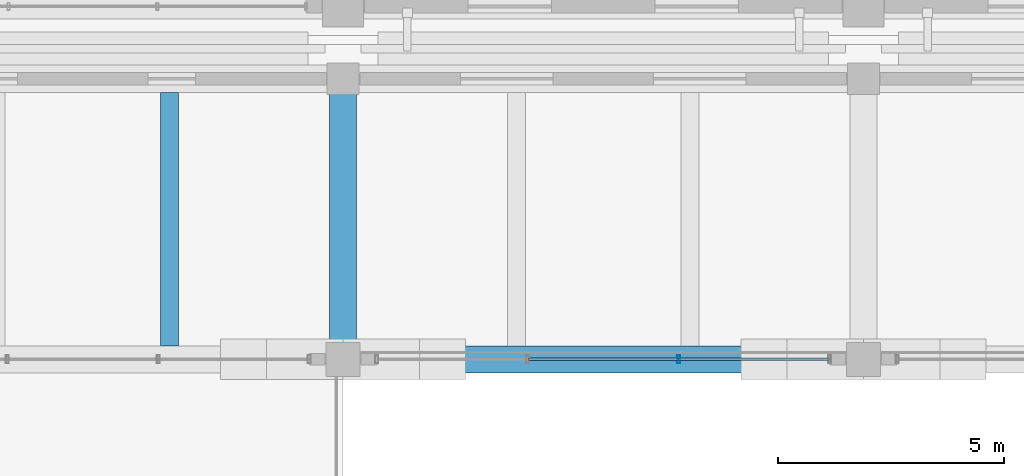
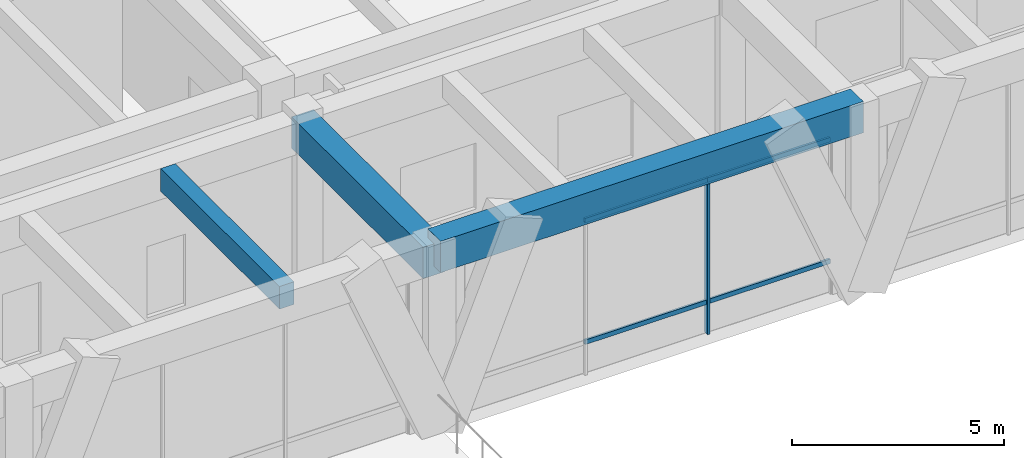
# One storey, part 103 of 148: 5 members, 3 beams, 1 element without a shape of its own.
"""IFC4 building model written with IfcOpenShell, lengths in metres."""

from ifc_helpers import new_model, si_unit, direction, frame, origin, origin_2d, place, context, subcontext, project, spatial, rectangle, hollow_rectangle, extrude, material, material_profile, profile_set, type_object, element, aggregate, save


model = new_model("IFC4")

# Units and contexts
model_context = context("Model", 3, precision=1e-05, world=origin(), true_north=direction((0.0, 1.0)))
body_context = subcontext(model_context, "Body", "Model", "MODEL_VIEW")
ifc_project = project(units=[si_unit("LENGTHUNIT", "METRE"), si_unit("AREAUNIT", "SQUARE_METRE"), si_unit("VOLUMEUNIT", "CUBIC_METRE"), si_unit("PLANEANGLEUNIT", "RADIAN"), si_unit("MASSUNIT", "GRAM", prefix="KILO")], contexts=[model_context])

# Site, building, storey
site_placement = place(None, origin())
site = spatial("IfcSite", under=ifc_project, at=site_placement, CompositionType="ELEMENT")
building_placement = place(site_placement, origin())
building = spatial("IfcBuilding", under=site, at=building_placement, Name="Ologun Quay Terminus", CompositionType="ELEMENT")
storey_placement = place(building_placement, frame((0.0, 0.0, 8.39990234375)))
storey = spatial("IfcBuildingStorey", under=building, at=storey_placement, Name="L02", CompositionType="ELEMENT", Elevation=8.39990234375)

# Curtain wall, members
ifc_material_1 = material(Name="Aluminium 6063-T6", Category="aluminium")
curtain_wall_type = type_object("IfcCurtainWallType", Name="Train Shed North Clerestory Curtain Wall 10700x4850", PredefinedType="USERDEFINED", material=ifc_material_1)
curtain_wall_placement = place(storey_placement, origin())
curtain_wall = element("IfcCurtainWall", 1, at=curtain_wall_placement, inside=storey, type_object=curtain_wall_type, Name="CW-09 Curtain Wall CW-L02-071", ObjectType="UNITISED CURTAIN WALL", PredefinedType="USERDEFINED")
ifc_material_2 = material(Name="Aluminium 6063-T6", Category="aluminium")
ifc_material_profile_1 = material_profile(ifc_material_2, hollow_rectangle(XDim=0.070068359375, YDim=0.179931640625, WallThickness=0.0048828125, at=origin_2d()), Name="ALU 180x70x5")
ifc_profile_set_1 = profile_set([ifc_material_profile_1], Name="Aluminium 6063-T6")
member_type_1 = type_object("IfcMemberType", Name="Concourse Clerestory Mullion 180x70", PredefinedType="MULLION", material=ifc_profile_set_1)
member_1_placement = place(storey_placement, frame((156.918212890625, 78.0, 0.0), z_axis=(0.0, 0.0, 1.0), x_axis=(1.0, 0.0, 0.0)))
member_1 = element("IfcMember", 2, at=member_1_placement, type_object=member_type_1, Name="CW-L02-071 Mullion 3", PredefinedType="MULLION", context=body_context, shape_type="SweptSolid", body=[
    extrude(hollow_rectangle(XDim=0.070068359375, YDim=0.179931640625, WallThickness=0.0048828125, at=origin_2d()), origin(), (0.0, 0.0, 1.0), 5.10009765625),
])
ifc_material_3 = material(Name="Aluminium 6063-T6", Category="aluminium")
ifc_material_profile_2 = material_profile(ifc_material_3, hollow_rectangle(XDim=0.06005859375, YDim=0.1298828125, WallThickness=0.00390625, at=origin_2d()), Name="ALU 130x60x4")
ifc_profile_set_2 = profile_set([ifc_material_profile_2], Name="Aluminium 6063-T6")
member_type_2 = type_object("IfcMemberType", Name="Concourse Clerestory Transom 130x60", PredefinedType="USERDEFINED", material=ifc_profile_set_2)
member_2_placement = place(storey_placement, frame((153.581787109375, 78.0, 0.900146484375), z_axis=(1.0, 0.0, 0.0), x_axis=(0.0, 1.0, 0.0)))
member_2 = element("IfcMember", 3, at=member_2_placement, type_object=member_type_2, Name="CW-L02-071 Transom B2-1", ObjectType="TRANSOM", PredefinedType="USERDEFINED", context=body_context, shape_type="SweptSolid", body=[
    extrude(hollow_rectangle(XDim=0.06005859375, YDim=0.1298828125, WallThickness=0.00390625, at=origin_2d()), origin(), (0.0, 0.0, 1.0), 3.33642578125),
])
member_3_placement = place(storey_placement, frame((153.581787109375, 78.0, 4.400146484375), z_axis=(1.0, 0.0, 0.0), x_axis=(0.0, 1.0, 0.0)))
member_3 = element("IfcMember", 4, at=member_3_placement, type_object=member_type_2, Name="CW-L02-071 Transom B2-2", ObjectType="TRANSOM", PredefinedType="USERDEFINED", context=body_context, shape_type="SweptSolid", body=[
    extrude(hollow_rectangle(XDim=0.06005859375, YDim=0.1298828125, WallThickness=0.00390625, at=origin_2d()), origin(), (0.0, 0.0, 1.0), 3.33642578125),
])
member_4_placement = place(storey_placement, frame((156.918212890625, 78.0, 0.900146484375), z_axis=(1.0, 0.0, 0.0), x_axis=(0.0, 1.0, 0.0)))
member_4 = element("IfcMember", 5, at=member_4_placement, type_object=member_type_2, Name="CW-L02-071 Transom B3-1", ObjectType="TRANSOM", PredefinedType="USERDEFINED", context=body_context, shape_type="SweptSolid", body=[
    extrude(hollow_rectangle(XDim=0.06005859375, YDim=0.1298828125, WallThickness=0.00390625, at=origin_2d()), origin(), (0.0, 0.0, 1.0), 3.336669921875),
])
member_5_placement = place(storey_placement, frame((156.918212890625, 78.0, 4.400146484375), z_axis=(1.0, 0.0, 0.0), x_axis=(0.0, 1.0, 0.0)))
member_5 = element("IfcMember", 6, at=member_5_placement, type_object=member_type_2, Name="CW-L02-071 Transom B3-2", ObjectType="TRANSOM", PredefinedType="USERDEFINED", context=body_context, shape_type="SweptSolid", body=[
    extrude(hollow_rectangle(XDim=0.06005859375, YDim=0.1298828125, WallThickness=0.00390625, at=origin_2d()), origin(), (0.0, 0.0, 1.0), 3.336669921875),
])
aggregate(curtain_wall, [member_1, member_2, member_3, member_4, member_5])

# Beams
ifc_material_4 = material(Name="Concrete C40/50", Category="concrete")
ifc_material_profile_3 = material_profile(ifc_material_4, rectangle(XDim=0.60009765625, YDim=0.89990234375, at=origin_2d()), Name="RC 600x900")
ifc_profile_set_3 = profile_set([ifc_material_profile_3], Name="Concrete C40/50")
beam_type_1 = type_object("IfcBeamType", Name="Station Frame Girder 600x900", PredefinedType="BEAM", material=ifc_profile_set_3)
beam_1_placement = place(storey_placement, frame((149.5, 78.0, 4.9501953125), z_axis=(1.0, 0.0, 0.0), x_axis=(0.0, 1.0, 0.0)))
element("IfcBeam", 7, at=beam_1_placement, inside=storey, type_object=beam_type_1, Name="B3 Beam 14/F L02", PredefinedType="BEAM", context=body_context, shape_type="SweptSolid", body=[
    extrude(rectangle(XDim=0.60009765625, YDim=0.89990234375, at=origin_2d()), origin(), (0.0, 0.0, 1.0), 11.5),
])
beam_2_placement = place(storey_placement, frame((149.5, 78.0, 4.7001953125), z_axis=(0.0, 1.0, 0.0), x_axis=(-1.0, 0.0, 0.0)))
element("IfcBeam", 8, at=beam_2_placement, inside=storey, type_object=beam_type_1, Name="B3 Beam 14/F L02", PredefinedType="BEAM", context=body_context, shape_type="SweptSolid", body=[
    extrude(rectangle(XDim=0.60009765625, YDim=0.89990234375, at=origin_2d()), origin(), (0.0, 0.0, 1.0), 6.199951171875),
])
ifc_material_5 = material(Name="Concrete C40/50", Category="concrete")
ifc_material_profile_4 = material_profile(ifc_material_5, rectangle(XDim=0.39990234375, YDim=0.64990234375, at=origin_2d()), Name="RC 400x650")
ifc_profile_set_4 = profile_set([ifc_material_profile_4], Name="Concrete C40/50")
beam_type_2 = type_object("IfcBeamType", Name="Station Secondary Joist 400x650", PredefinedType="JOIST", material=ifc_profile_set_4)
beam_3_placement = place(storey_placement, frame((145.666748046875, 78.300048828125, 4.8251953125), z_axis=(0.0, 1.0, 0.0), x_axis=(-1.0, 0.0, 0.0)))
element("IfcBeam", 9, at=beam_3_placement, inside=storey, type_object=beam_type_2, Name="J1 Beam 13/F L02", PredefinedType="JOIST", context=body_context, shape_type="SweptSolid", body=[
    extrude(rectangle(XDim=0.39990234375, YDim=0.64990234375, at=origin_2d()), origin(), (0.0, 0.0, 1.0), 5.599853515625),
])

save(model, "model.ifc")
